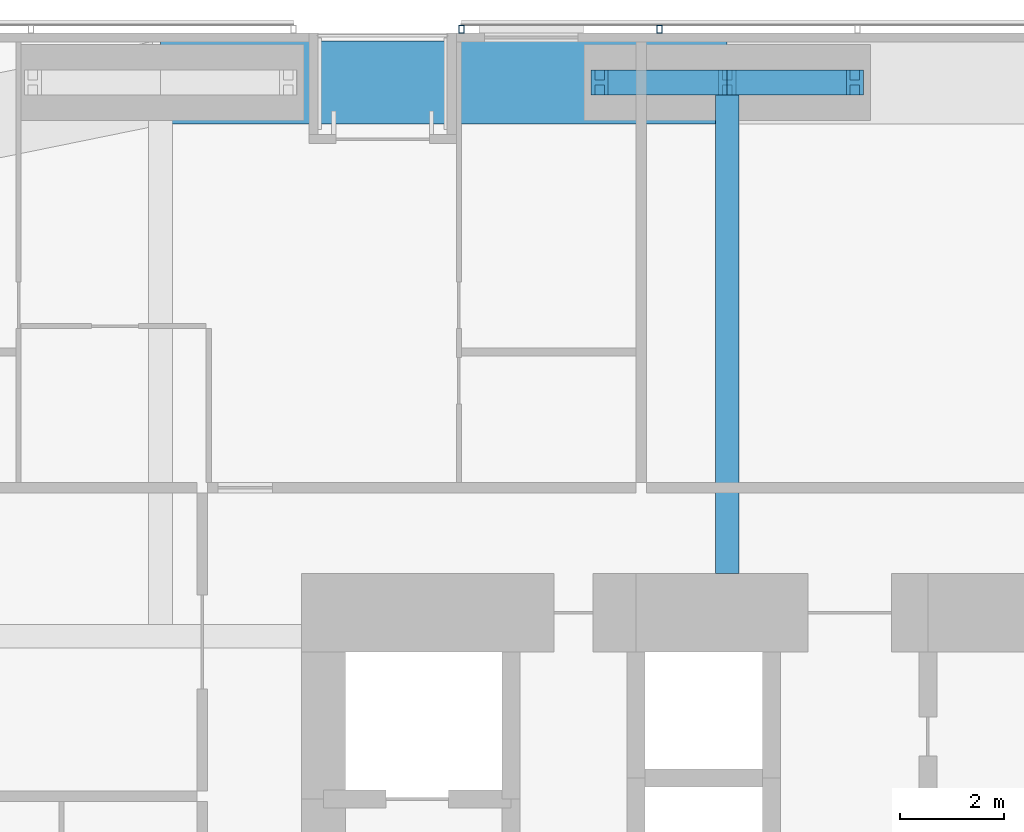
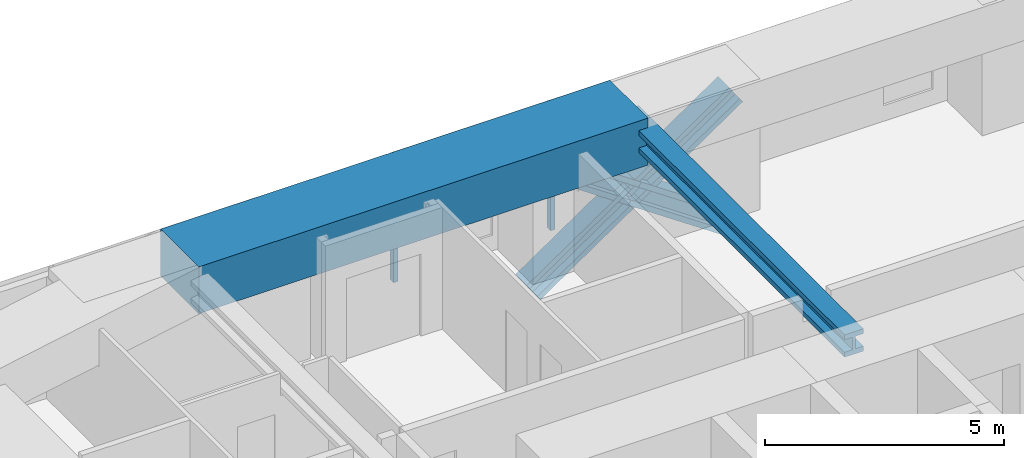
# One storey, part 13 of 24: 6 members, 2 beams, 1 element without a shape of its own.
"""IFC4 building model written with IfcOpenShell, lengths in metres."""

from ifc_helpers import new_model, si_unit, direction, frame, origin, origin_2d, place, context, subcontext, project, spatial, rectangle, hollow_rectangle, i_section, extrude, material, material_profile, profile_set, type_object, element, aggregate, save


model = new_model("IFC4")

# Units and contexts
model_context = context("Model", 3, precision=1e-05, world=origin(), true_north=direction((0.0, 1.0)))
body_context = subcontext(model_context, "Body", "Model", "MODEL_VIEW")
ifc_project = project(units=[si_unit("LENGTHUNIT", "METRE"), si_unit("AREAUNIT", "SQUARE_METRE"), si_unit("VOLUMEUNIT", "CUBIC_METRE"), si_unit("PLANEANGLEUNIT", "RADIAN"), si_unit("MASSUNIT", "GRAM", prefix="KILO")], contexts=[model_context])

# Site, building, storey
site_placement = place(None, origin())
site = spatial("IfcSite", under=ifc_project, at=site_placement, CompositionType="ELEMENT")
building_placement = place(site_placement, origin())
building = spatial("IfcBuilding", under=site, at=building_placement, Name="Jalousie Tower", CompositionType="ELEMENT")
storey_placement = place(building_placement, frame((0.0, 0.0, 135.0)))
storey = spatial("IfcBuildingStorey", under=building, at=storey_placement, Name="L37", CompositionType="ELEMENT", Elevation=135.0)

# Beam
ifc_material_1 = material(Name="Steel ASTM A992 Grade 50", Category="steel")
ifc_material_profile_1 = material_profile(ifc_material_1, i_section(OverallWidth=0.45458984375, OverallDepth=0.569091796875, WebThickness=0.077880859375, FlangeThickness=0.124755859375, at=origin_2d()), Name="W14X730")
ifc_profile_set_1 = profile_set([ifc_material_profile_1], Name="Steel ASTM A992 Grade 50")
beam_type_1 = type_object("IfcBeamType", Name="LEAN COLLECTOR W14X730", PredefinedType="BEAM", material=ifc_profile_set_1)
beam_1_placement = place(storey_placement, frame((27.75, 37.050048828125, 2.825439453125), z_axis=(0.0, -1.0, 0.0), x_axis=(1.0, 0.0, 0.0)))
element("IfcBeam", 1, at=beam_1_placement, inside=storey, type_object=beam_type_1, Name="Lean collector under L38", PredefinedType="BEAM", context=body_context, shape_type="SweptSolid", body=[
    extrude(i_section(OverallWidth=0.45458984375, OverallDepth=0.569091796875, WebThickness=0.077880859375, FlangeThickness=0.124755859375, at=origin_2d()), origin(), (0.0, 0.0, 1.0), 9.425048828125),
])

# Members
ifc_material_2 = material(Name="Steel ASTM A992 Grade 50", Category="steel")
ifc_material_profile_2 = material_profile(ifc_material_2, i_section(OverallWidth=0.472412109375, OverallDepth=0.5791015625, WebThickness=0.094970703125, FlangeThickness=0.1298828125, at=origin_2d()), Name="W14X808")
ifc_profile_set_2 = profile_set([ifc_material_profile_2], Name="Steel ASTM A992 Grade 50")
member_type_1 = type_object("IfcMemberType", Name="PERIMETER BRACE W14X808", PredefinedType="BRACE", material=ifc_profile_set_2)
for number, where, z_axis, x_axis, name in (
    (2, (25.300048828125, 37.050048828125, -0.60009765625), (0.825500916831, 0.0, 0.564400776321), (0.0, 1.0, 0.0), "Perimeter brace 10 L37 part 1"),
    (3, (27.75, 37.050048828125, 1.074951171875), (0.825500916831, 0.0, 0.564400776321), (0.0, 1.0, 0.0), "Perimeter brace 10 L37 part 2"),
    (4, (30.199951171875, 37.050048828125, -0.60009765625), (-0.825500916831, 0.0, 0.564400776321), (0.0, -1.0, 0.0), "Perimeter brace 10 L37 part 3"),
    (5, (27.75, 37.050048828125, 1.074951171875), (-0.825500916831, 0.0, 0.564400776321), (0.0, -1.0, 0.0), "Perimeter brace 10 L37 part 4"),
):
    element("IfcMember", number, at=place(storey_placement, frame(where, z_axis=z_axis, x_axis=x_axis)), inside=storey, type_object=member_type_1, Name=name, PredefinedType="BRACE", context=body_context, shape_type="SweptSolid", body=[
        extrude(i_section(OverallWidth=0.472412109375, OverallDepth=0.5791015625, WebThickness=0.094970703125, FlangeThickness=0.1298828125, at=origin_2d()), origin(), (0.0, 0.0, 1.0), 2.9677734375),
    ])

# Beam
ifc_material_3 = material(Name="Concrete f'c 40 MPa", Category="concrete")
ifc_material_profile_3 = material_profile(ifc_material_3, rectangle(XDim=1.60009765625, YDim=1.199951171875, at=origin_2d()), Name="RC 1600x1200")
ifc_profile_set_3 = profile_set([ifc_material_profile_3], Name="Concrete f'c 40 MPa")
beam_type_2 = type_object("IfcBeamType", Name="RC BEAM 1600x1200", PredefinedType="BEAM", material=ifc_profile_set_3)
beam_2_placement = place(storey_placement, frame((27.75, 37.050048828125, 2.75), z_axis=(-1.0, 0.0, 0.0), x_axis=(0.0, -1.0, 0.0)))
element("IfcBeam", 6, at=beam_2_placement, inside=storey, type_object=beam_type_2, Name="Edge band beam 10-11 under L38", PredefinedType="BEAM", context=body_context, shape_type="SweptSolid", body=[
    extrude(rectangle(XDim=1.60009765625, YDim=1.199951171875, at=origin_2d()), origin(), (0.0, 0.0, 1.0), 10.875),
])

# Curtain wall, members
ifc_material_4 = material(Name="Perforated aluminium sheet", Category="aluminium")
curtain_wall_type = type_object("IfcCurtainWallType", Name="SOLAR SCREEN SS-1", PredefinedType="USERDEFINED", material=ifc_material_4)
curtain_wall_placement = place(storey_placement, origin())
curtain_wall = element("IfcCurtainWall", 7, at=curtain_wall_placement, inside=storey, type_object=curtain_wall_type, Name="Solar screen L37", ObjectType="SOLAR SCREEN SS-1", PredefinedType="USERDEFINED")
ifc_material_5 = material(Name="Steel ASTM A500 Grade C", Category="steel")
ifc_material_profile_4 = material_profile(ifc_material_5, hollow_rectangle(XDim=0.1015625, YDim=0.15234375, WallThickness=0.00634765625, at=origin_2d()), Name="HSS6X4X1/4")
ifc_profile_set_4 = profile_set([ifc_material_profile_4], Name="Steel ASTM A500 Grade C")
member_type_2 = type_object("IfcMemberType", Name="SOLAR SCREEN SS-1 MULLION", PredefinedType="MULLION", material=ifc_profile_set_4)
member_1_placement = place(storey_placement, frame((26.449462890625, 38.0712890625, -0.1201171875), z_axis=(0.0, 0.0, 1.0), x_axis=(-1.0, 0.0, 0.0)))
member_1 = element("IfcMember", 8, at=member_1_placement, type_object=member_type_2, Name="SS1 post 3", PredefinedType="MULLION", context=body_context, shape_type="SweptSolid", body=[
    extrude(hollow_rectangle(XDim=0.1015625, YDim=0.15234375, WallThickness=0.00634765625, at=origin_2d()), origin(), (0.0, 0.0, 1.0), 3.230224609375),
])
member_2_placement = place(storey_placement, frame((22.64990234375, 38.0712890625, -0.1201171875), z_axis=(0.0, 0.0, 1.0), x_axis=(-1.0, 0.0, 0.0)))
member_2 = element("IfcMember", 9, at=member_2_placement, type_object=member_type_2, Name="SS1 post 4", PredefinedType="MULLION", context=body_context, shape_type="SweptSolid", body=[
    extrude(hollow_rectangle(XDim=0.1015625, YDim=0.15234375, WallThickness=0.00634765625, at=origin_2d()), origin(), (0.0, 0.0, 1.0), 3.230224609375),
])
aggregate(curtain_wall, [member_1, member_2])

save(model, "model.ifc")
